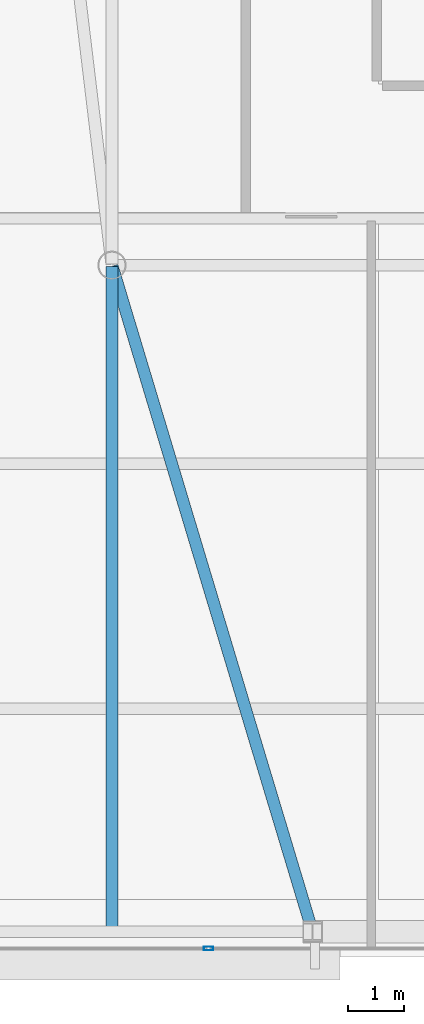
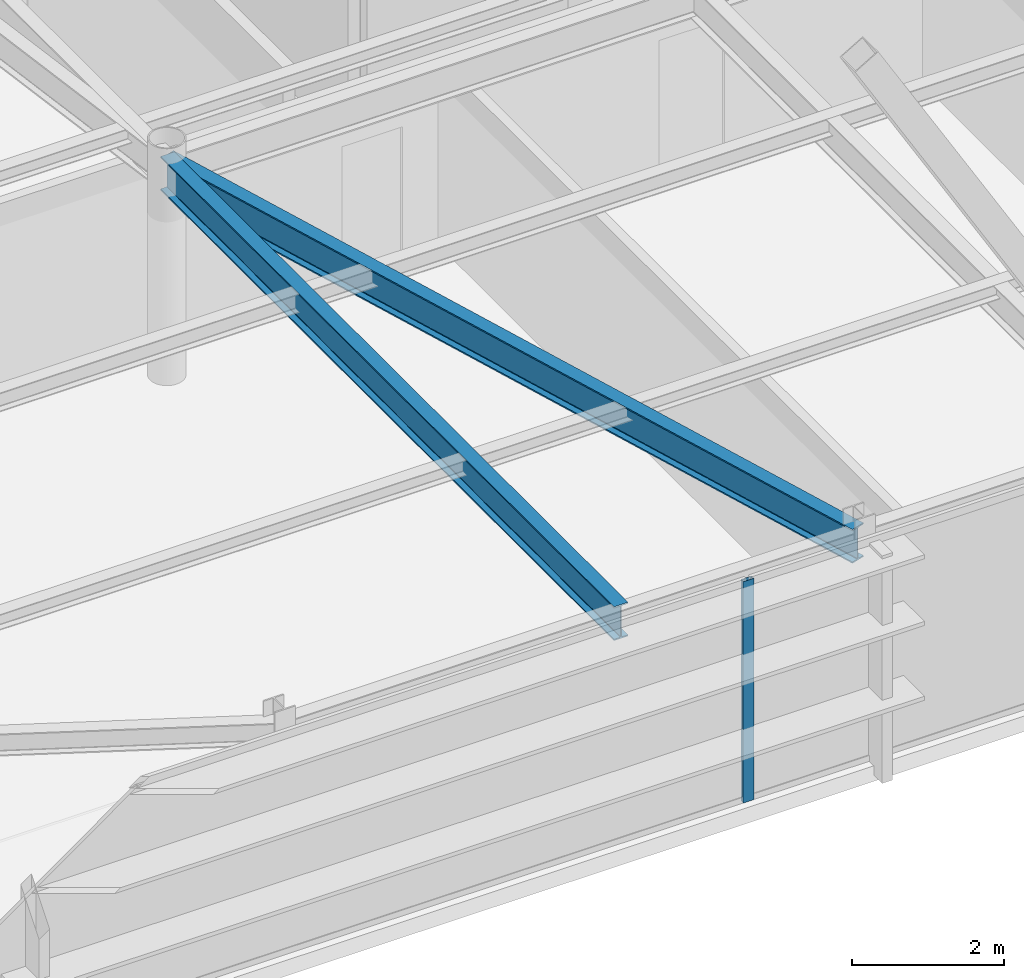
# One storey, part 6 of 24: 2 beams, 1 member, 1 element without a shape of its own.
"""IFC4 building model written with IfcOpenShell, lengths in metres."""

import ifcopenshell
import ifcopenshell.guid

model = None  # the IFC model being written
_history = None  # IfcOwnerHistory: only IFC2X3 demands one
_inside = {}  # id of a spatial element -> (the spatial element, [elements in it])
_under = {}  # id of a project, library or spatial element -> (it, [spatial elements below it])
_declared = {}  # id of a project -> (the project, [libraries it declares])
_typed = {}  # id of a type object -> (the type object, [elements of that type])
_made_of = {}  # id of a material, layer set ... -> (it, [elements and type objects made of it])


def new_model(schema):
    """Start an empty IFC model of exactly this schema.

    Asked for "IFC4X3", IfcOpenShell would pick the latest addendum, in which some entities
    have other attributes; the version numbers below select the first issue.
    IFC2X3 requires an IfcOwnerHistory on every rooted entity: one is made here for all.
    """
    global model, _history
    if schema == "IFC4X3":
        model = ifcopenshell.file(schema_version=(4, 3, 0, 0))
    else:
        model = ifcopenshell.file(schema=schema)
    _inside.clear()
    _under.clear()
    _declared.clear()
    _typed.clear()
    _made_of.clear()
    _history = None
    if model.schema == "IFC2X3":
        org = make("IfcOrganization", Name="unknown")
        user = make(
            "IfcPersonAndOrganization",
            ThePerson=make("IfcPerson", FamilyName="unknown"),
            TheOrganization=org,
        )
        app = make(
            "IfcApplication",
            ApplicationDeveloper=org,
            Version="unknown",
            ApplicationFullName="unknown",
            ApplicationIdentifier="unknown",
        )
        _history = make(
            "IfcOwnerHistory",
            OwningUser=user,
            OwningApplication=app,
            ChangeAction="ADDED",
            CreationDate=0,
        )
    return model


def make(cls, **values):
    """One entity of the class cls with the attributes given. An attribute that is None is left unset."""
    return model.create_entity(
        cls, **{name: value for name, value in values.items() if value is not None}
    )


def rooted(cls, **values):
    """An entity with a GlobalId (a new one), such as an element, a storey or a relation."""
    return make(cls, GlobalId=ifcopenshell.guid.new(), OwnerHistory=_history, **values)


def si_unit(unit_type, name, prefix=None):
    """IfcSIUnit, for example si_unit("LENGTHUNIT", "METRE", prefix="MILLI")."""
    return make("IfcSIUnit", UnitType=unit_type, Prefix=prefix, Name=name)


def assignment(units):
    """IfcUnitAssignment: the units of a project."""
    return None if units is None else make("IfcUnitAssignment", Units=units)


def point(xyz):
    """IfcCartesianPoint."""
    return None if xyz is None else make("IfcCartesianPoint", Coordinates=xyz)


def direction(xyz):
    """IfcDirection."""
    return None if xyz is None else make("IfcDirection", DirectionRatios=xyz)


def frame(location, z_axis=None, x_axis=None):
    """IfcAxis2Placement3D, a coordinate frame: its origin and axes. An axis left out is left unset."""
    return make(
        "IfcAxis2Placement3D",
        Location=point(location),
        Axis=direction(z_axis),
        RefDirection=direction(x_axis),
    )


def frame_2d(location, x_axis=None):
    """IfcAxis2Placement2D, a coordinate frame in the plane: its origin and x axis."""
    return make(
        "IfcAxis2Placement2D", Location=point(location), RefDirection=direction(x_axis)
    )


def origin():
    """The frame at (0, 0, 0) with its axes left unset."""
    return frame((0.0, 0.0, 0.0))


def origin_2d():
    """The frame at (0, 0) in the plane with its x axis left unset."""
    return frame_2d((0.0, 0.0))


def place(relative_to, where):
    """IfcLocalPlacement: puts the frame where relative to a parent placement (None: the world)."""
    return make(
        "IfcLocalPlacement", PlacementRelTo=relative_to, RelativePlacement=where
    )


def context(
    kind, dimensions, precision=None, world=None, true_north=None, identifier=None
):
    """IfcGeometricRepresentationContext, for example the 3D "Model" context."""
    return make(
        "IfcGeometricRepresentationContext",
        ContextIdentifier=identifier,
        ContextType=kind,
        CoordinateSpaceDimension=dimensions,
        Precision=precision,
        WorldCoordinateSystem=world,
        TrueNorth=true_north,
    )


def subcontext(parent, identifier, kind, view, scale=None):
    """IfcGeometricRepresentationSubContext, for example "Body" below "Model"."""
    return make(
        "IfcGeometricRepresentationSubContext",
        ContextIdentifier=identifier,
        ContextType=kind,
        ParentContext=parent,
        TargetScale=scale,
        TargetView=view,
    )


def project(units=None, contexts=None):
    """IfcProject with its units and contexts."""
    return rooted(
        "IfcProject",
        Name="project",
        RepresentationContexts=contexts,
        UnitsInContext=assignment(units),
    )


def spatial(cls, under=None, at=None, **own):
    """A site, building, storey or space (cls), placed at a placement, below another one or the project."""
    s = rooted(cls, ObjectPlacement=at, **own)
    if under is not None:
        _under.setdefault(under.id(), (under, []))[1].append(s)
    return s


def profile(cls, at=None, kind="AREA", **sizes):
    """A parametric profile (cls). Its sizes go by their IFC names, for example OverallWidth=200.0."""
    return make(cls, ProfileType=kind, Position=at, **sizes)


def hollow_rectangle(**sizes):
    """IfcRectangleHollowProfileDef."""
    return profile("IfcRectangleHollowProfileDef", **sizes)


def i_section(**sizes):
    """IfcIShapeProfileDef."""
    return profile("IfcIShapeProfileDef", **sizes)


def extrude(swept, where, along, depth):
    """IfcExtrudedAreaSolid: the profile swept, set in the frame where, extruded along a direction by depth."""
    return make(
        "IfcExtrudedAreaSolid",
        SweptArea=swept,
        Position=where,
        ExtrudedDirection=direction(along),
        Depth=depth,
    )


def shape(context_of_items, identifier, shape_type, items):
    """IfcShapeRepresentation: the items that make up one representation, for example the "Body"."""
    return make(
        "IfcShapeRepresentation",
        ContextOfItems=context_of_items,
        RepresentationIdentifier=identifier,
        RepresentationType=shape_type,
        Items=items,
    )


def source(mapping_origin, context_of_items, identifier, shape_type, items):
    """IfcRepresentationMap: a shape defined once, which mapped items show again and again."""
    return make(
        "IfcRepresentationMap",
        MappingOrigin=mapping_origin,
        MappedRepresentation=shape(context_of_items, identifier, shape_type, items),
    )


def transform(
    local_origin,
    x_axis=None,
    y_axis=None,
    z_axis=None,
    scale=None,
    scale2=None,
    scale3=None,
    uniform=True,
):
    """IfcCartesianTransformationOperator3D, or its non-uniform kind. x_axis, y_axis, z_axis: its Axis1, 2, 3."""
    if uniform:
        return make(
            "IfcCartesianTransformationOperator3D",
            Axis1=direction(x_axis),
            Axis2=direction(y_axis),
            LocalOrigin=point(local_origin),
            Scale=scale,
            Axis3=direction(z_axis),
        )
    return make(
        "IfcCartesianTransformationOperator3DnonUniform",
        Axis1=direction(x_axis),
        Axis2=direction(y_axis),
        LocalOrigin=point(local_origin),
        Scale=scale,
        Axis3=direction(z_axis),
        Scale2=scale2,
        Scale3=scale3,
    )


def mapped(mapping_source, mapping_target):
    """IfcMappedItem: shows the shape of a source again, moved by a transform."""
    return make(
        "IfcMappedItem", MappingSource=mapping_source, MappingTarget=mapping_target
    )


def material(Name=None, Category=None):
    """IfcMaterial."""
    return make("IfcMaterial", Name=Name, Category=Category)


def layer(
    of_material, thickness, ventilated=None, Name=None, Category=None, Priority=None
):
    """IfcMaterialLayer: one layer of a wall or slab, of a material (None: an air gap)."""
    return make(
        "IfcMaterialLayer",
        Material=of_material,
        LayerThickness=thickness,
        IsVentilated=ventilated,
        Name=Name,
        Category=Category,
        Priority=Priority,
    )


def layer_set(layers, Name=None):
    """IfcMaterialLayerSet."""
    return make("IfcMaterialLayerSet", MaterialLayers=layers, LayerSetName=Name)


def material_profile(
    of_material, cross_section, Name=None, Category=None, Priority=None
):
    """IfcMaterialProfile: a cross section and its material."""
    return make(
        "IfcMaterialProfile",
        Name=Name,
        Material=of_material,
        Profile=cross_section,
        Priority=Priority,
        Category=Category,
    )


def profile_set(profiles, Name=None, composite=None):
    """IfcMaterialProfileSet."""
    return make(
        "IfcMaterialProfileSet",
        Name=Name,
        MaterialProfiles=profiles,
        CompositeProfile=composite,
    )


def made_of(thing, what):
    """Note that an element or type object is made of a material, layer set ...; save() writes the relation."""
    if what is not None:
        _made_of.setdefault(what.id(), (what, []))[1].append(thing)
    return thing


def type_object(cls, material=None, **own):
    """A type object (cls), such as IfcWallType, which elements share."""
    return made_of(rooted(cls, **own), material)


def type_shapes(of_type, sources):
    """Give a type object the sources (RepresentationMaps) that its elements show as mapped items."""
    of_type.RepresentationMaps = sources


def element(
    cls,
    number,
    at=None,
    inside=None,
    cuts=None,
    type_object=None,
    material=None,
    context=None,
    identifier="Body",
    shape_type=None,
    held_by="IfcProductDefinitionShape",
    body=None,
    shapes=None,
    **own,
):
    """One element of the class cls, such as IfcWall. Its Tag is "e" and its number.

    at: its placement. inside: the storey or other place that contains it. cuts: it is an
    opening in that element (IfcRelVoidsElement). A single representation is given by context,
    identifier, shape_type and body (its items); several are given by shapes. held_by: the class
    of the entity that holds the representations. save() writes the other relations.
    """
    e = rooted(cls, Tag="e%d" % number, ObjectPlacement=at, **own)
    if body is not None:
        shapes = [shape(context, identifier, shape_type, body)]
    if shapes is not None:
        e.Representation = make(held_by, Representations=shapes)
    if inside is not None:
        _inside.setdefault(inside.id(), (inside, []))[1].append(e)
    if cuts is not None:
        rooted(
            "IfcRelVoidsElement", RelatingBuildingElement=cuts, RelatedOpeningElement=e
        )
    if type_object is not None:
        _typed.setdefault(type_object.id(), (type_object, []))[1].append(e)
    return made_of(e, material)


def aggregate(whole, parts):
    """IfcRelAggregates: a whole, such as a stair, and the parts it consists of."""
    return rooted("IfcRelAggregates", RelatingObject=whole, RelatedObjects=parts)


def save(model, path):
    """Write the relations noted so far, then the file.

    IfcRelAggregates (storeys below a building ...), IfcRelContainedInSpatialStructure (elements
    in a storey), IfcRelDefinesByType, IfcRelAssociatesMaterial and IfcRelDeclares: one each for
    every whole, place, type object, material and project.
    """
    for whole, parts in _under.values():
        aggregate(whole, parts)
    for where, things in _inside.values():
        rooted(
            "IfcRelContainedInSpatialStructure",
            RelatedElements=things,
            RelatingStructure=where,
        )
    for kind, things in _typed.values():
        rooted("IfcRelDefinesByType", RelatedObjects=things, RelatingType=kind)
    for what, things in _made_of.values():
        rooted("IfcRelAssociatesMaterial", RelatedObjects=things, RelatingMaterial=what)
    for by, libraries in _declared.values():
        rooted("IfcRelDeclares", RelatingContext=by, RelatedDefinitions=libraries)
    model.write(path)


model = new_model("IFC4")

# Units and contexts
model_context = context("Model", 3, precision=1e-05, world=origin(), true_north=direction((0.0, 1.0)))
body_context = subcontext(model_context, "Body", "Model", "MODEL_VIEW")
ifc_project = project(units=[si_unit("LENGTHUNIT", "METRE"), si_unit("AREAUNIT", "SQUARE_METRE"), si_unit("VOLUMEUNIT", "CUBIC_METRE"), si_unit("PLANEANGLEUNIT", "RADIAN"), si_unit("MASSUNIT", "GRAM", prefix="KILO")], contexts=[model_context])

# Site, building, storey
site_placement = place(None, origin())
site = spatial("IfcSite", under=ifc_project, at=site_placement, CompositionType="ELEMENT")
building_placement = place(site_placement, origin())
building = spatial("IfcBuilding", under=site, at=building_placement, Name="Varnel Quay Broadcast Tower", CompositionType="ELEMENT")
storey_placement = place(building_placement, frame((0.0, 0.0, 277.39990234375)))
storey = spatial("IfcBuildingStorey", under=building, at=storey_placement, Name="L69", CompositionType="ELEMENT", Elevation=277.39990234375)

# Beams
ifc_material_1 = material(Name="Structural Steel CSA G40.21 350W", Category="steel")
ifc_material_profile_1 = material_profile(ifc_material_1, i_section(OverallWidth=0.2119140625, OverallDepth=0.5439453125, WebThickness=0.01318359375, FlangeThickness=0.021240234375, FilletRadius=0.013916015625, at=origin_2d()), Name="W530X123")
ifc_profile_set_1 = profile_set([ifc_material_profile_1], Name="Structural Steel CSA G40.21 350W")
beam_type = type_object("IfcBeamType", Name="Girder_W530X123", PredefinedType="BEAM", material=ifc_profile_set_1)
shared_shape_1 = source(origin(), body_context, "Body", "SweptSolid", [
    extrude(i_section(OverallWidth=0.2119140625, OverallDepth=0.5439453125, WebThickness=0.01318359375, FlangeThickness=0.021240234375, FilletRadius=0.013916015625, at=origin_2d()), origin(), (0.0, 0.0, 1.0), 12.449951171875),
])
beam_1_placement = place(storey_placement, frame((29.59423828125, 13.669189453125, 3.278076171875), z_axis=(-0.28822390679, 0.957563042078, 0.0), x_axis=(-0.957563042078, -0.28822390679, 0.0)))
element("IfcBeam", 1, at=beam_1_placement, inside=storey, type_object=beam_type, Name="L69 Primary Girder TC-S2-IC-01", PredefinedType="BEAM", context=body_context, shape_type="MappedRepresentation", body=[
    mapped(shared_shape_1, transform((0.0, 0.0, 0.0), x_axis=(1.0, 0.0, 0.0), y_axis=(0.0, 1.0, 0.0), z_axis=(0.0, 0.0, 1.0), scale=1.0)),
])
shared_shape_2 = source(origin(), body_context, "Body", "SweptSolid", [
    extrude(i_section(OverallWidth=0.2119140625, OverallDepth=0.5439453125, WebThickness=0.01318359375, FlangeThickness=0.021240234375, FilletRadius=0.013916015625, at=origin_2d()), origin(), (0.0, 0.0, 1.0), 11.920166015625),
])
type_shapes(beam_type, [shared_shape_1, shared_shape_2])
beam_2_placement = place(storey_placement, frame((26.0, 13.669921875, 3.278076171875), z_axis=(0.0, 1.0, 0.0), x_axis=(-1.0, 0.0, 0.0)))
element("IfcBeam", 2, at=beam_2_placement, inside=storey, type_object=beam_type, Name="L69 N-S Joist Header IC-01S", PredefinedType="BEAM", context=body_context, shape_type="MappedRepresentation", body=[
    mapped(shared_shape_2, transform((0.0, 0.0, 0.0), x_axis=(1.0, 0.0, 0.0), y_axis=(0.0, 1.0, 0.0), z_axis=(0.0, 0.0, 1.0), scale=1.0)),
])

# Curtain wall, member
ifc_material_2 = material(Name="Anodised Bronze Aluminium 6063-T6", Category="aluminium")
ifc_layer = layer(ifc_material_2, 0.18994140625, Name="Anodised Bronze Aluminium 6063-T6")
ifc_layer_set = layer_set([ifc_layer], Name="Anodised Bronze Aluminium 6063-T6")
curtain_wall_type = type_object("IfcCurtainWallType", Name="CW_UpperTower", PredefinedType="NOTDEFINED", material=ifc_layer_set)
curtain_wall_placement = place(storey_placement, origin())
curtain_wall = element("IfcCurtainWall", 3, at=curtain_wall_placement, inside=storey, type_object=curtain_wall_type, Name="L69 South Unitised Curtain Wall 1", PredefinedType="NOTDEFINED")
ifc_material_profile_2 = material_profile(ifc_material_2, hollow_rectangle(XDim=0.06494140625, YDim=0.1650390625, WallThickness=0.00341796875, at=origin_2d()), Name="ALU65X165X3.5")
ifc_profile_set_2 = profile_set([ifc_material_profile_2], Name="Anodised Bronze Aluminium 6063-T6")
member_type = type_object("IfcMemberType", Name="Mull_CWS-03", PredefinedType="MULLION", material=ifc_profile_set_2)
shared_shape_3 = source(origin(), body_context, "Body", "SweptSolid", [
    extrude(hollow_rectangle(XDim=0.06494140625, YDim=0.1650390625, WallThickness=0.00341796875, at=origin_2d()), origin(), (0.0, 0.0, 1.0), 3.550048828125),
])
type_shapes(member_type, [shared_shape_3])
member_placement = place(storey_placement, frame((27.7333984375, 13.35009765625, 0.0), z_axis=(0.0, 0.0, 1.0), x_axis=(0.0, 1.0, 0.0)))
member = element("IfcMember", 4, at=member_placement, type_object=member_type, Name="CWS-03 mullion 2", PredefinedType="MULLION", context=body_context, shape_type="MappedRepresentation", body=[
    mapped(shared_shape_3, transform((0.0, 0.0, 0.0), x_axis=(1.0, 0.0, 0.0), y_axis=(0.0, 1.0, 0.0), z_axis=(0.0, 0.0, 1.0), scale=1.0)),
])
aggregate(curtain_wall, [member])

save(model, "model.ifc")
